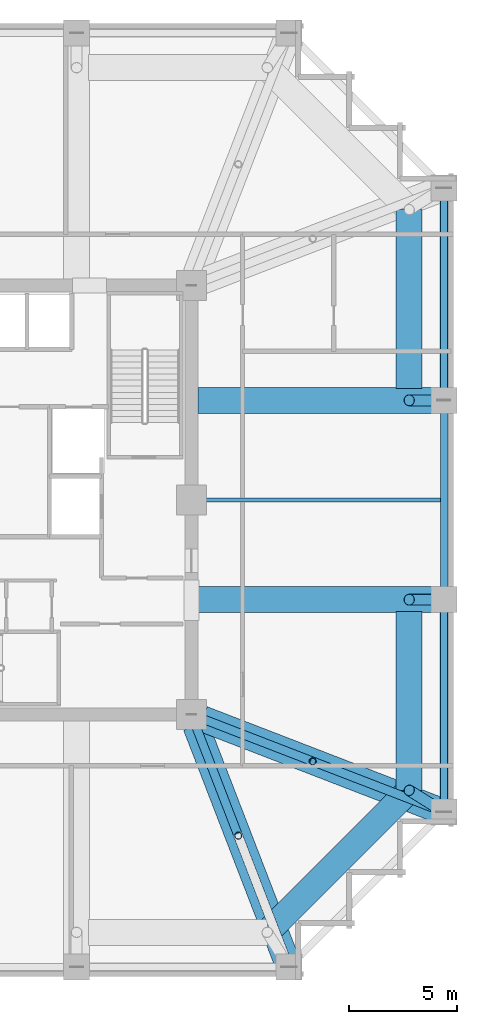
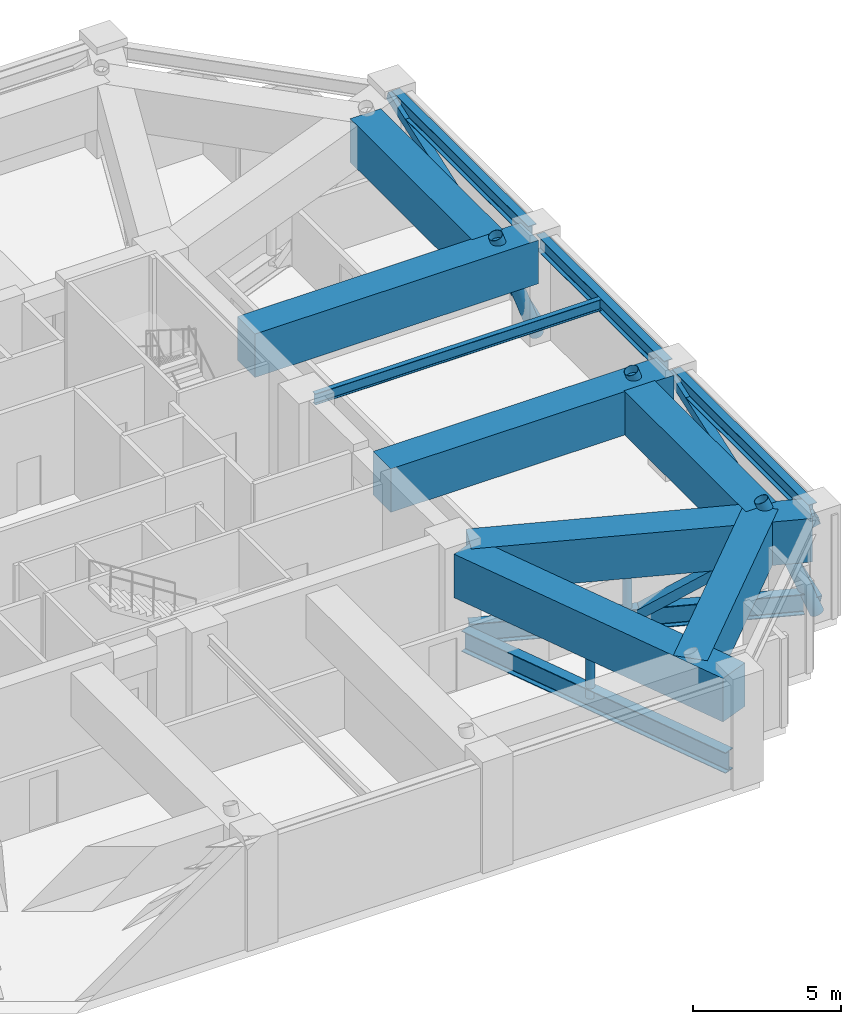
# One storey, part 4 of 15: 13 beams, 8 members.
"""IFC4 building model written with IfcOpenShell, lengths in metres."""

from ifc_helpers import new_model, si_unit, direction, frame, origin, origin_2d, place, context, subcontext, project, spatial, rectangle, hollow_rectangle, hollow_circle, i_section, extrude, material, material_profile, profile_set, type_object, element, save


model = new_model("IFC4")

# Units and contexts
model_context = context("Model", 3, precision=1e-05, world=origin(), true_north=direction((0.0, 1.0)))
body_context = subcontext(model_context, "Body", "Model", "MODEL_VIEW")
ifc_project = project(units=[si_unit("LENGTHUNIT", "METRE"), si_unit("AREAUNIT", "SQUARE_METRE"), si_unit("VOLUMEUNIT", "CUBIC_METRE"), si_unit("PLANEANGLEUNIT", "RADIAN"), si_unit("MASSUNIT", "GRAM", prefix="KILO")], contexts=[model_context])

# Site, building, storey
site_placement = place(None, origin())
site = spatial("IfcSite", under=ifc_project, at=site_placement, CompositionType="ELEMENT")
building_placement = place(site_placement, origin())
building = spatial("IfcBuilding", under=site, at=building_placement, Name="Kolvaren Belvedere", CompositionType="ELEMENT")
storey_placement = place(building_placement, frame((0.0, 0.0, 63.39990234375)))
storey = spatial("IfcBuildingStorey", under=building, at=storey_placement, Name="L18", CompositionType="ELEMENT", Elevation=63.39990234375)

# Beams
ifc_material_1 = material(Name="Structural steel ASTM A992 Grade 50", Category="steel")
ifc_material_profile_1 = material_profile(ifc_material_1, i_section(OverallWidth=0.39990234375, OverallDepth=0.85595703125, WebThickness=0.018310546875, FlangeThickness=0.029296875, FilletRadius=0.02490234375, at=origin_2d()), Name="W33X201")
ifc_profile_set_1 = profile_set([ifc_material_profile_1], Name="Structural steel ASTM A992 Grade 50")
beam_type_1 = type_object("IfcBeamType", Name="BM-GIRD-W33X201", PredefinedType="BEAM", material=ifc_profile_set_1)
for number, where, z_axis, x_axis, name in (
    (1, (10.09814453125, -10.4130859375, 0.47998046875), (0.360321534967, -0.932828168228, 0.0), (0.932828168228, 0.360321534967, 0.0), "L18 Outrigger Truss Bottom Chord OB-3"),
    (2, (10.4130859375, -10.09814453125, 0.47998046875), (0.932828168228, -0.360321534967, 0.0), (0.360321534967, 0.932828168228, 0.0), "L18 Outrigger Truss Bottom Chord OB-4"),
):
    element("IfcBeam", number, at=place(storey_placement, frame(where, z_axis=z_axis, x_axis=x_axis)), inside=storey, type_object=beam_type_1, Name=name, PredefinedType="BEAM", context=body_context, shape_type="SweptSolid", body=[
        extrude(i_section(OverallWidth=0.39990234375, OverallDepth=0.85595703125, WebThickness=0.018310546875, FlangeThickness=0.029296875, FilletRadius=0.02490234375, at=origin_2d()), origin(), (0.0, 0.0, 1.0), 11.48876953125),
    ])
ifc_material_2 = material(Name="Structural steel ASTM A992 Grade 50", Category="steel")
ifc_material_profile_2 = material_profile(ifc_material_2, i_section(OverallWidth=0.19091796875, OverallDepth=0.4599609375, WebThickness=0.010009765625, FlangeThickness=0.01611328125, FilletRadius=0.014892578125, at=origin_2d()), Name="W18X55")
ifc_profile_set_2 = profile_set([ifc_material_profile_2], Name="Structural steel ASTM A992 Grade 50")
beam_type_2 = type_object("IfcBeamType", Name="BM-JOIST-W18X55", PredefinedType="BEAM", material=ifc_profile_set_2)
beam_1_placement = place(storey_placement, frame((10.199951171875, 0.0, 4.070068359375), z_axis=(1.0, 0.0, 0.0), x_axis=(0.0, 1.0, 0.0)))
element("IfcBeam", 3, at=beam_1_placement, inside=storey, type_object=beam_type_2, Name="L18 East Centre Floor Beam", PredefinedType="BEAM", context=body_context, shape_type="SweptSolid", body=[
    extrude(i_section(OverallWidth=0.19091796875, OverallDepth=0.4599609375, WebThickness=0.010009765625, FlangeThickness=0.01611328125, FilletRadius=0.014892578125, at=origin_2d()), origin(), (0.0, 0.0, 1.0), 11.1875),
])
ifc_material_3 = material(Name="Structural steel ASTM A992 Grade 50", Category="steel")
ifc_material_profile_3 = material_profile(ifc_material_3, i_section(OverallWidth=0.324951171875, OverallDepth=0.615966796875, WebThickness=0.013916015625, FlangeThickness=0.021484375, FilletRadius=0.02001953125, at=origin_2d()), Name="W24X117")
ifc_profile_set_3 = profile_set([ifc_material_profile_3], Name="Structural steel ASTM A992 Grade 50")
beam_type_3 = type_object("IfcBeamType", Name="BM-SPAN-W24X117", PredefinedType="SPANDREL", material=ifc_profile_set_3)
beam_2_placement = place(storey_placement, frame((21.550048828125, -14.1298828125, 3.9921875), z_axis=(0.0, 1.0, 0.0), x_axis=(-1.0, 0.0, 0.0)))
element("IfcBeam", 4, at=beam_2_placement, inside=storey, type_object=beam_type_3, Name="L18 Perimeter Spandrel E1-E2", PredefinedType="SPANDREL", context=body_context, shape_type="SweptSolid", body=[
    extrude(i_section(OverallWidth=0.324951171875, OverallDepth=0.615966796875, WebThickness=0.013916015625, FlangeThickness=0.021484375, FilletRadius=0.02001953125, at=origin_2d()), origin(), (0.0, 0.0, 1.0), 9.259765625),
])
beam_3_placement = place(storey_placement, frame((21.550048828125, -4.330078125, 3.9921875), z_axis=(0.0, 1.0, 0.0), x_axis=(-1.0, 0.0, 0.0)))
element("IfcBeam", 5, at=beam_3_placement, inside=storey, type_object=beam_type_3, Name="L18 Perimeter Spandrel E2-E3", PredefinedType="SPANDREL", context=body_context, shape_type="SweptSolid", body=[
    extrude(i_section(OverallWidth=0.324951171875, OverallDepth=0.615966796875, WebThickness=0.013916015625, FlangeThickness=0.021484375, FilletRadius=0.02001953125, at=origin_2d()), origin(), (0.0, 0.0, 1.0), 8.66015625),
])
beam_4_placement = place(storey_placement, frame((21.550048828125, 4.8701171875, 3.9921875), z_axis=(0.0, 1.0, 0.0), x_axis=(-1.0, 0.0, 0.0)))
element("IfcBeam", 6, at=beam_4_placement, inside=storey, type_object=beam_type_3, Name="L18 Perimeter Spandrel E3-E4", PredefinedType="SPANDREL", context=body_context, shape_type="SweptSolid", body=[
    extrude(i_section(OverallWidth=0.324951171875, OverallDepth=0.615966796875, WebThickness=0.013916015625, FlangeThickness=0.021484375, FilletRadius=0.02001953125, at=origin_2d()), origin(), (0.0, 0.0, 1.0), 9.259765625),
])
ifc_material_4 = material(Name="Concrete C50/60", Category="concrete")
ifc_material_profile_4 = material_profile(ifc_material_4, rectangle(XDim=1.199951171875, YDim=1.800048828125, at=origin_2d()), Name="RC 1200X1800")
ifc_profile_set_4 = profile_set([ifc_material_profile_4], Name="Concrete C50/60")
beam_type_4 = type_object("IfcBeamType", Name="BM-TG-1800", PredefinedType="BEAM", material=ifc_profile_set_4)
beam_5_placement = place(storey_placement, frame((13.39990234375, -19.949951171875, 3.400146484375), z_axis=(0.707106781187, 0.707106781187, 0.0), x_axis=(-0.707106781187, 0.707106781187, 0.0)))
element("IfcBeam", 7, at=beam_5_placement, inside=storey, type_object=beam_type_4, Name="L18 Step Transfer Ring Girder S4-E1", PredefinedType="BEAM", context=body_context, shape_type="SweptSolid", body=[
    extrude(rectangle(XDim=1.199951171875, YDim=1.800048828125, at=origin_2d()), origin(), (0.0, 0.0, 1.0), 9.26318359375),
])
for number, where, z_axis, x_axis, name in (
    (8, (19.949951171875, -13.39990234375, 3.400146484375), (0.0, 1.0, 0.0), (-1.0, 0.0, 0.0), "L18 Step Transfer Ring Girder E1-E2"),
    (9, (19.949951171875, 5.14990234375, 3.400146484375), (0.0, 1.0, 0.0), (-1.0, 0.0, 0.0), "L18 Step Transfer Ring Girder E3-E4"),
):
    element("IfcBeam", number, at=place(storey_placement, frame(where, z_axis=z_axis, x_axis=x_axis)), inside=storey, type_object=beam_type_4, Name=name, PredefinedType="BEAM", context=body_context, shape_type="SweptSolid", body=[
        extrude(rectangle(XDim=1.199951171875, YDim=1.800048828125, at=origin_2d()), origin(), (0.0, 0.0, 1.0), 8.25),
    ])
for number, where, z_axis, x_axis, name in (
    (10, (10.199951171875, 4.60009765625, 3.400146484375), (1.0, 0.0, 0.0), (0.0, 1.0, 0.0), "L18 East Radial Girder P"),
    (11, (10.199951171875, -4.60009765625, 3.400146484375), (1.0, 0.0, 0.0), (0.0, 1.0, 0.0), "L18 East Radial Girder M"),
):
    element("IfcBeam", number, at=place(storey_placement, frame(where, z_axis=z_axis, x_axis=x_axis)), inside=storey, type_object=beam_type_4, Name=name, PredefinedType="BEAM", context=body_context, shape_type="SweptSolid", body=[
        extrude(rectangle(XDim=1.199951171875, YDim=1.800048828125, at=origin_2d()), origin(), (0.0, 0.0, 1.0), 11.080078125),
    ])
for number, where, z_axis, x_axis, name in (
    (12, (10.09814453125, -10.4130859375, 3.400146484375), (0.360318391835, -0.932829382313, 0.0), (0.932829382313, 0.360318391835, 0.0), "L18 Corner Core-to-Perimeter Girder CC2-S4"),
    (13, (10.4130859375, -10.09814453125, 3.400146484375), (0.932829382313, -0.360318391835, 0.0), (0.360318391835, 0.932829382313, 0.0), "L18 Corner Core-to-Perimeter Girder CC2-E1"),
):
    element("IfcBeam", number, at=place(storey_placement, frame(where, z_axis=z_axis, x_axis=x_axis)), inside=storey, type_object=beam_type_4, Name=name, PredefinedType="BEAM", context=body_context, shape_type="SweptSolid", body=[
        extrude(rectangle(XDim=1.199951171875, YDim=1.800048828125, at=origin_2d()), origin(), (0.0, 0.0, 1.0), 11.698974609375),
    ])

# Members
ifc_material_5 = material(Name="Structural steel ASTM A500 Grade C", Category="steel")
ifc_material_profile_5 = material_profile(ifc_material_5, hollow_rectangle(XDim=0.35595703125, YDim=0.35595703125, WallThickness=0.01171875, at=origin_2d()), Name="HSS14X14X1/2")
ifc_profile_set_5 = profile_set([ifc_material_profile_5], Name="Structural steel ASTM A500 Grade C")
member_type_1 = type_object("IfcMemberType", Name="MB-BELT-BRACE", PredefinedType="BRACE", material=ifc_profile_set_5)
for number, where, z_axis, x_axis, name in (
    (14, (21.550048828125, -14.39990234375, 0.47998046875), (0.0, 0.942643852008, 0.333800192139), (-1.0, 0.0, 0.0), "L18 Perimeter Belt Truss Brace BT-7"),
    (15, (21.550048828125, 4.60009765625, 0.47998046875), (0.0, 0.942643852008, 0.333800192139), (-1.0, 0.0, 0.0), "L18 Perimeter Belt Truss Brace BT-8"),
):
    element("IfcMember", number, at=place(storey_placement, frame(where, z_axis=z_axis, x_axis=x_axis)), inside=storey, type_object=member_type_1, Name=name, PredefinedType="BRACE", context=body_context, shape_type="SweptSolid", body=[
        extrude(hollow_rectangle(XDim=0.35595703125, YDim=0.35595703125, WallThickness=0.01171875, at=origin_2d()), origin(), (0.0, 0.0, 1.0), 10.39599609375),
    ])
ifc_material_6 = material(Name="Structural steel ASTM A500 Grade C", Category="steel")
ifc_material_profile_6 = material_profile(ifc_material_6, hollow_circle(Radius=0.162109375, WallThickness=0.01171875, at=origin_2d()), Name="HSS12.750X0.500")
ifc_profile_set_6 = profile_set([ifc_material_profile_6], Name="Structural steel ASTM A500 Grade C")
member_type_2 = type_object("IfcMemberType", Name="MB-CAN-POST", PredefinedType="POST", material=ifc_profile_set_6)
for number, where, z_axis, x_axis, name in (
    (16, (12.06005859375, -15.491943359375, 0.47998046875), (0.0, 0.0, 1.0), (1.0, 0.0, 0.0), "L18 Outrigger Portal Post OP-3"),
    (17, (15.491943359375, -12.06005859375, 0.47998046875), (0.0, 0.0, 1.0), (1.0, 0.0, 0.0), "L18 Outrigger Portal Post OP-4"),
):
    element("IfcMember", number, at=place(storey_placement, frame(where, z_axis=z_axis, x_axis=x_axis)), inside=storey, type_object=member_type_2, Name=name, PredefinedType="POST", context=body_context, shape_type="SweptSolid", body=[
        extrude(hollow_circle(Radius=0.162109375, WallThickness=0.01171875, at=origin_2d()), origin(), (0.0, 0.0, 1.0), 3.47021484375),
    ])
ifc_material_7 = material(Name="Structural steel ASTM A500 Grade C", Category="steel")
ifc_material_profile_7 = material_profile(ifc_material_7, hollow_rectangle(XDim=0.406005859375, YDim=0.406005859375, WallThickness=0.014892578125, at=origin_2d()), Name="HSS16X16X5/8")
ifc_profile_set_7 = profile_set([ifc_material_profile_7], Name="Structural steel ASTM A500 Grade C")
member_type_3 = type_object("IfcMemberType", Name="MB-OUTRIGGER", PredefinedType="BRACE", material=ifc_profile_set_7)
member_1_placement = place(storey_placement, frame((15.491943359375, -12.06005859375, 0.47998046875), z_axis=(0.822745426831, -0.317771909839, 0.471286511525), x_axis=(0.360293711668, 0.932838914997, 0.0)))
element("IfcMember", 18, at=member_1_placement, inside=storey, type_object=member_type_3, Name="L18 Outrigger Truss Diagonal OT-4A", PredefinedType="BRACE", context=body_context, shape_type="SweptSolid", body=[
    extrude(hollow_rectangle(XDim=0.406005859375, YDim=0.406005859375, WallThickness=0.014892578125, at=origin_2d()), origin(), (0.0, 0.0, 1.0), 7.36328125),
])
ifc_material_8 = material(Name="Structural steel ASTM A500 Grade C", Category="steel")
ifc_material_profile_8 = material_profile(ifc_material_8, hollow_circle(Radius=0.25390625, WallThickness=0.01171875, at=origin_2d()), Name="HSS20.000X0.500")
ifc_profile_set_8 = profile_set([ifc_material_profile_8], Name="Structural steel ASTM A500 Grade C")
member_type_4 = type_object("IfcMemberType", Name="MB-WAIST-STRUT", PredefinedType="STRUT", material=ifc_profile_set_8)
member_2_placement = place(storey_placement, frame((21.550048828125, -14.39990234375, 0.0), z_axis=(-0.321818953873, 0.201124570501, 0.925192665378), x_axis=(-0.529975678933, -0.84801284173, 0.0)))
element("IfcMember", 19, at=member_2_placement, inside=storey, type_object=member_type_4, Name="L18 Inclined Waist Transition Strut E1", PredefinedType="STRUT", context=body_context, shape_type="SweptSolid", body=[
    extrude(hollow_circle(Radius=0.25390625, WallThickness=0.01171875, at=origin_2d()), origin(), (0.0, 0.0, 1.0), 4.971923828125),
])
for number, where, z_axis, x_axis, name in (
    (20, (21.550048828125, -4.60009765625, 0.0), (-0.328532290219, 0.0, 0.944492739137), (0.0, -1.0, 0.0), "L18 Inclined Waist Transition Strut E2"),
    (21, (21.550048828125, 4.60009765625, 0.0), (-0.328532290219, 0.0, 0.944492739137), (0.0, -1.0, 0.0), "L18 Inclined Waist Transition Strut E3"),
):
    element("IfcMember", number, at=place(storey_placement, frame(where, z_axis=z_axis, x_axis=x_axis)), inside=storey, type_object=member_type_4, Name=name, PredefinedType="STRUT", context=body_context, shape_type="SweptSolid", body=[
        extrude(hollow_circle(Radius=0.25390625, WallThickness=0.01171875, at=origin_2d()), origin(), (0.0, 0.0, 1.0), 4.870361328125),
    ])

save(model, "model.ifc")
